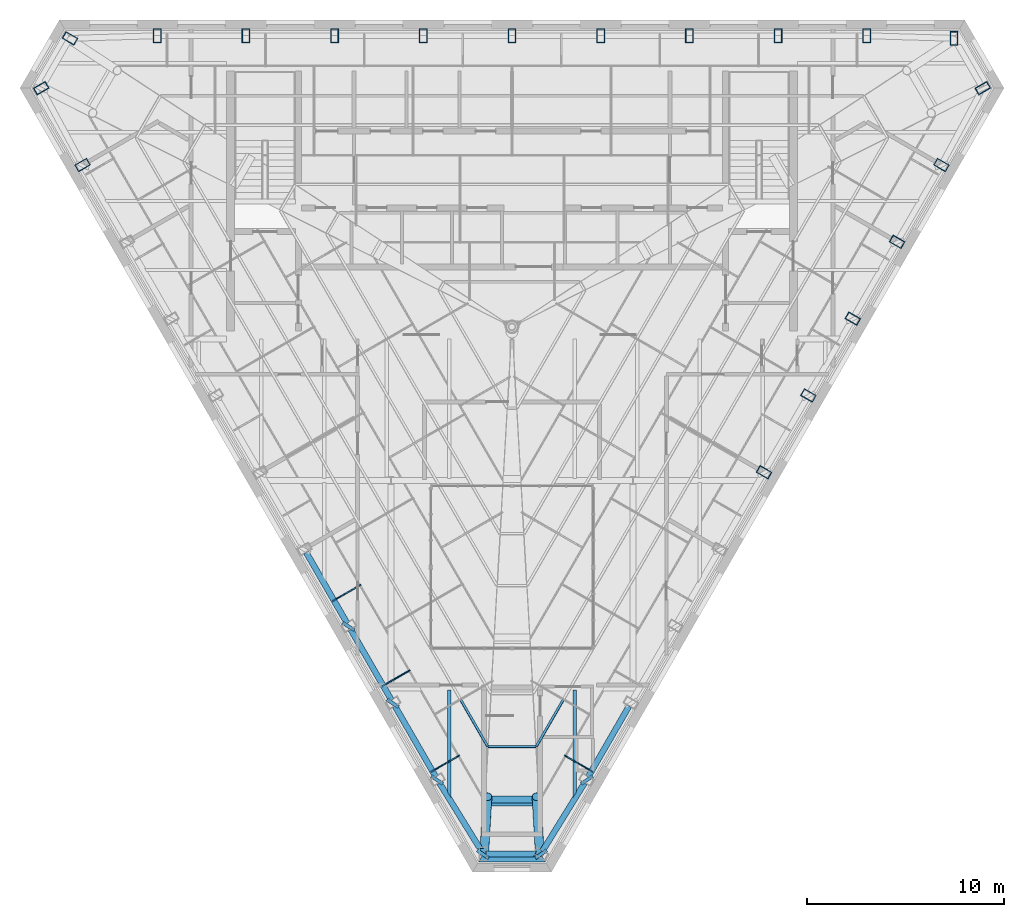
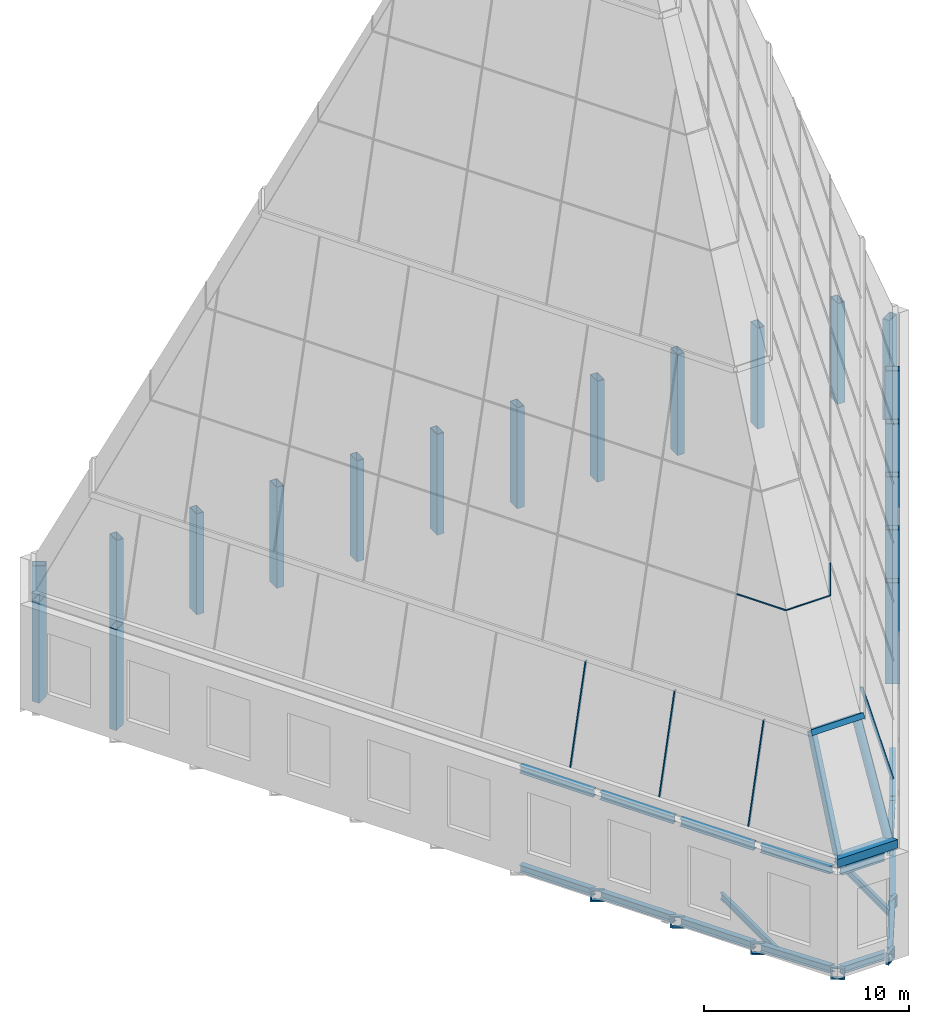
# One storey, part 2 of 36: 22 beams, 19 columns, 11 members, 5 elements without a shape of their own.
"""IFC4 building model written with IfcOpenShell, lengths in metres."""

from ifc_helpers import new_model, si_unit, direction, frame, origin, origin_2d, place, context, subcontext, project, spatial, rectangle, hollow_rectangle, hollow_circle, i_section, extrude, clip, halfspace, material, layer, layer_set, material_profile, profile_set, type_object, element, aggregate, save


model = new_model("IFC4")

# Units and contexts
model_context = context("Model", 3, precision=1e-05, world=origin(), true_north=direction((0.0, 1.0)))
body_context = subcontext(model_context, "Body", "Model", "MODEL_VIEW")
ifc_project = project(units=[si_unit("LENGTHUNIT", "METRE"), si_unit("AREAUNIT", "SQUARE_METRE"), si_unit("VOLUMEUNIT", "CUBIC_METRE"), si_unit("PLANEANGLEUNIT", "RADIAN"), si_unit("MASSUNIT", "GRAM", prefix="KILO")], contexts=[model_context])

# Site, building, storey
site_placement = place(None, origin())
site = spatial("IfcSite", under=ifc_project, at=site_placement, CompositionType="ELEMENT")
building_placement = place(site_placement, origin())
building = spatial("IfcBuilding", under=site, at=building_placement, Name="Njiva Tower", CompositionType="ELEMENT")
storey_placement = place(building_placement, frame((0.0, 0.0, 337.8)))
storey = spatial("IfcBuildingStorey", under=building, at=storey_placement, Name="L77", CompositionType="ELEMENT", Elevation=337.8)

# Columns
ifc_material_1 = material(Name="Steel S355 J2", Category="steel")
ifc_material_profile_1 = material_profile(ifc_material_1, hollow_rectangle(XDim=0.4, YDim=0.7, WallThickness=0.03, at=origin_2d()), Name="BOX 700x400x30")
ifc_profile_set_1 = profile_set([ifc_material_profile_1], Name="Steel S355 J2")
column_type = type_object("IfcColumnType", Name="C17 Perimeter tube column BOX 700x400x30", PredefinedType="COLUMN", material=ifc_profile_set_1)
for number, where, z_axis, x_axis, name in (
    (1, (22.461, 19.267, 0.0), (0.0, 0.0, 1.0), (-1.0, 0.0, 0.0), "Perimeter tube column CR-C01"),
    (2, (18.03, 19.4, 0.0), (0.0, 0.0, 1.0), (-1.0, 0.0, 0.0), "Perimeter tube column CR-C02"),
    (3, (13.523, 19.4, 0.0), (0.0, 0.0, 1.0), (-1.0, 0.0, 0.0), "Perimeter tube column CR-C03"),
    (4, (9.015, 19.4, 0.0), (0.0, 0.0, 1.0), (-1.0, 0.0, 0.0), "Perimeter tube column CR-C04"),
    (5, (4.508, 19.4, 0.0), (0.0, 0.0, 1.0), (-1.0, 0.0, 0.0), "Perimeter tube column CR-C05"),
    (6, (0.0, 19.4, 0.0), (0.0, 0.0, 1.0), (-1.0, 0.0, 0.0), "Perimeter tube column CR-C06"),
    (7, (-4.508, 19.4, 0.0), (0.0, 0.0, 1.0), (-1.0, 0.0, 0.0), "Perimeter tube column CR-C07"),
    (8, (-9.015, 19.4, 0.0), (0.0, 0.0, 1.0), (-1.0, 0.0, 0.0), "Perimeter tube column CR-C08"),
    (9, (-13.523, 19.4, 0.0), (0.0, 0.0, 1.0), (-1.0, 0.0, 0.0), "Perimeter tube column CR-C09"),
    (10, (-18.03, 19.4, 0.0), (0.0, 0.0, 1.0), (-1.0, 0.0, 0.0), "Perimeter tube column CR-C10"),
    (11, (-22.461, 19.267, 0.0), (0.0, 0.0, 1.0), (-0.5, -0.866025403784, 0.0), "Perimeter tube column CR-C11"),
    (12, (-23.923, 16.736, 0.0), (0.0, 0.0, 1.0), (0.5, -0.866025403784, 0.0), "Perimeter tube column CR-C12"),
    (13, (-21.822, 12.832, 0.0), (0.0, 0.0, 1.0), (0.5, -0.866025403784, 0.0), "Perimeter tube column CR-C13"),
    (14, (12.807, -2.783, 0.0), (0.0, 0.0, 1.0), (0.5, 0.866025403784, 0.0), "Perimeter tube column CR-C28"),
    (15, (15.061, 1.121, 0.0), (0.0, 0.0, 1.0), (0.5, 0.866025403784, 0.0), "Perimeter tube column CR-C29"),
    (16, (17.315, 5.025, 0.0), (0.0, 0.0, 1.0), (0.5, 0.866025403784, 0.0), "Perimeter tube column CR-C30"),
    (17, (19.569, 8.928, 0.0), (0.0, 0.0, 1.0), (0.5, 0.866025403784, 0.0), "Perimeter tube column CR-C31"),
    (18, (21.822, 12.832, 0.0), (0.0, 0.0, 1.0), (0.5, 0.866025403784, 0.0), "Perimeter tube column CR-C32"),
    (19, (23.923, 16.736, 0.0), (0.0, 0.0, 1.0), (-0.5, 0.866025403784, 0.0), "Perimeter tube column CR-C33"),
):
    element("IfcColumn", number, at=place(storey_placement, frame(where, z_axis=z_axis, x_axis=x_axis)), inside=storey, type_object=column_type, Name=name, PredefinedType="COLUMN", context=body_context, shape_type="SweptSolid", body=[
        extrude(hollow_rectangle(XDim=0.4, YDim=0.7, WallThickness=0.03, at=origin_2d()), origin(), (0.0, 0.0, 1.0), 6.0),
    ])

# Beams
ifc_material_profile_2 = material_profile(ifc_material_1, hollow_rectangle(XDim=0.7, YDim=0.7, WallThickness=0.08, at=origin_2d()), Name="BOX 700x700x80")
ifc_profile_set_2 = profile_set([ifc_material_profile_2], Name="Steel S355 J2")
beam_type_1 = type_object("IfcBeamType", Name="B19 Column jog beam BOX 700x700x80", PredefinedType="BEAM", material=ifc_profile_set_2)
beam_1_placement = place(storey_placement, frame((-8.359, -10.687, -0.55), z_axis=(0.519580604718, 0.85442143887, 0.0), x_axis=(-0.85442143887, 0.519580604718, 0.0)))
element("IfcBeam", 20, at=beam_1_placement, inside=storey, type_object=beam_type_1, Name="Column jog beam CR-B020", PredefinedType="BEAM", context=body_context, shape_type="SweptSolid", body=[
    extrude(hollow_rectangle(XDim=0.7, YDim=0.7, WallThickness=0.08, at=origin_2d()), origin(), (0.0, 0.0, 1.0), 0.1732),
])
beam_2_placement = place(storey_placement, frame((-6.108, -14.589, -0.55), z_axis=(0.548026257311, 0.83646112958, 0.0), x_axis=(-0.83646112958, 0.548026257311, 0.0)))
element("IfcBeam", 21, at=beam_2_placement, inside=storey, type_object=beam_type_1, Name="Column jog beam CR-B021", PredefinedType="BEAM", context=body_context, shape_type="SweptSolid", body=[
    extrude(hollow_rectangle(XDim=0.7, YDim=0.7, WallThickness=0.08, at=origin_2d()), origin(), (0.0, 0.0, 1.0), 0.1733),
])
beam_3_placement = place(storey_placement, frame((-3.854, -18.492, -0.55), z_axis=(0.550680686765, 0.83471598836, 0.0), x_axis=(-0.83471598836, 0.550680686765, 0.0)))
element("IfcBeam", 22, at=beam_3_placement, inside=storey, type_object=beam_type_1, Name="Column jog beam CR-B022", PredefinedType="BEAM", context=body_context, shape_type="SweptSolid", body=[
    extrude(hollow_rectangle(XDim=0.7, YDim=0.7, WallThickness=0.08, at=origin_2d()), origin(), (0.0, 0.0, 1.0), 0.1725),
])
for number, where, z_axis, x_axis, name in (
    (23, (-1.525, -22.26, -0.55), (0.570723177107, 0.821142530328, 0.0), (-0.821142530328, 0.570723177107, 0.0), "Column jog beam CR-B023"),
    (24, (1.525, -22.26, -0.55), (-0.570723177107, 0.821142530328, 0.0), (-0.821142530328, -0.570723177107, 0.0), "Column jog beam CR-B024"),
):
    element("IfcBeam", number, at=place(storey_placement, frame(where, z_axis=z_axis, x_axis=x_axis)), inside=storey, type_object=beam_type_1, Name=name, PredefinedType="BEAM", context=body_context, shape_type="SweptSolid", body=[
        extrude(hollow_rectangle(XDim=0.7, YDim=0.7, WallThickness=0.08, at=origin_2d()), origin(), (0.0, 0.0, 1.0), 0.1717),
    ])
beam_4_placement = place(storey_placement, frame((3.854, -18.492, -0.55), z_axis=(-0.550680686765, 0.83471598836, 0.0), x_axis=(-0.83471598836, -0.550680686765, 0.0)))
element("IfcBeam", 25, at=beam_4_placement, inside=storey, type_object=beam_type_1, Name="Column jog beam CR-B025", PredefinedType="BEAM", context=body_context, shape_type="SweptSolid", body=[
    extrude(hollow_rectangle(XDim=0.7, YDim=0.7, WallThickness=0.08, at=origin_2d()), origin(), (0.0, 0.0, 1.0), 0.1725),
])
ifc_material_profile_3 = material_profile(ifc_material_1, i_section(OverallWidth=0.3, OverallDepth=0.44, WebThickness=0.0115, FlangeThickness=0.021, at=origin_2d()), Name="HEA 450")
ifc_profile_set_3 = profile_set([ifc_material_profile_3], Name="Steel S355 J2")
beam_type_2 = type_object("IfcBeamType", Name="B57 Short-span spandrel beam HEA 450", PredefinedType="SPANDREL", material=ifc_profile_set_3)
beam_5_placement = place(storey_placement, frame((-10.453, -6.861, -0.42), z_axis=(0.500097243556, -0.865969252911, 0.0), x_axis=(0.865969252911, 0.500097243556, 0.0)))
element("IfcBeam", 26, at=beam_5_placement, inside=storey, type_object=beam_type_2, Name="Short-span spandrel beam CR-B097", PredefinedType="SPANDREL", context=body_context, shape_type="SweptSolid", body=[
    extrude(i_section(OverallWidth=0.3, OverallDepth=0.44, WebThickness=0.0115, FlangeThickness=0.021, at=origin_2d()), origin(), (0.0, 0.0, 1.0), 4.1572),
])
beam_6_placement = place(storey_placement, frame((-8.199, -10.764, -0.42), z_axis=(0.499916824138, -0.866073420066, 0.0), x_axis=(0.866073420066, 0.499916824138, 0.0)))
element("IfcBeam", 27, at=beam_6_placement, inside=storey, type_object=beam_type_2, Name="Short-span spandrel beam CR-B099", PredefinedType="SPANDREL", context=body_context, shape_type="SweptSolid", body=[
    extrude(i_section(OverallWidth=0.3, OverallDepth=0.44, WebThickness=0.0115, FlangeThickness=0.021, at=origin_2d()), origin(), (0.0, 0.0, 1.0), 4.1567),
])
beam_7_placement = place(storey_placement, frame((-5.946, -14.667, -0.42), z_axis=(0.500097243556, -0.865969252911, 0.0), x_axis=(0.865969252911, 0.500097243556, 0.0)))
element("IfcBeam", 28, at=beam_7_placement, inside=storey, type_object=beam_type_2, Name="Short-span spandrel beam CR-B100", PredefinedType="SPANDREL", context=body_context, shape_type="SweptSolid", body=[
    extrude(i_section(OverallWidth=0.3, OverallDepth=0.44, WebThickness=0.0115, FlangeThickness=0.021, at=origin_2d()), origin(), (0.0, 0.0, 1.0), 4.1572),
])
beam_8_placement = place(storey_placement, frame((-3.685, -18.57, -0.42), z_axis=(0.525758460145, -0.850633905735, 0.0), x_axis=(0.850633905735, 0.525758460145, 0.0)))
element("IfcBeam", 29, at=beam_8_placement, inside=storey, type_object=beam_type_2, Name="Short-span spandrel beam CR-B102", PredefinedType="SPANDREL", context=body_context, shape_type="Clipping", body=[
    clip(extrude(i_section(OverallWidth=0.3, OverallDepth=0.44, WebThickness=0.0115, FlangeThickness=0.021, at=origin_2d()), origin(), (0.0, 0.0, 1.0), 4.0407), halfspace(frame((-0.0265, 0.0, 3.9113), z_axis=(-0.525758460145, 0.0, 0.850633905735), x_axis=(0.0, 1.0, 0.0)), False)),
])
beam_9_placement = place(storey_placement, frame((-1.316, -22.168, -0.42), z_axis=(1.0, 0.0, 0.0), x_axis=(0.0, 1.0, 0.0)))
element("IfcBeam", 30, at=beam_9_placement, inside=storey, type_object=beam_type_2, Name="Short-span spandrel beam CR-B103", PredefinedType="SPANDREL", context=body_context, shape_type="Clipping", body=[
    clip(extrude(i_section(OverallWidth=0.3, OverallDepth=0.44, WebThickness=0.0115, FlangeThickness=0.021, at=origin_2d()), origin(), (0.0, 0.0, 1.0), 2.592), halfspace(frame((-0.0252, 0.0, 2.4709), z_axis=(-0.499998009787, 0.0, 0.866026552831), x_axis=(0.0, 1.0, 0.0)), False)),
])
beam_10_placement = place(storey_placement, frame((1.544, -22.035, -0.42), z_axis=(0.525644454307, 0.850704359726, 0.0), x_axis=(-0.850704359726, 0.525644454307, 0.0)))
element("IfcBeam", 31, at=beam_10_placement, inside=storey, type_object=beam_type_2, Name="Short-span spandrel beam CR-B105", PredefinedType="SPANDREL", context=body_context, shape_type="SweptSolid", body=[
    extrude(i_section(OverallWidth=0.3, OverallDepth=0.44, WebThickness=0.0115, FlangeThickness=0.021, at=origin_2d()), origin(), (0.0, 0.0, 1.0), 4.0731),
])
beam_11_placement = place(storey_placement, frame((3.867, -18.267, -0.42), z_axis=(0.500097243556, 0.865969252911, 0.0), x_axis=(-0.865969252911, 0.500097243556, 0.0)))
element("IfcBeam", 32, at=beam_11_placement, inside=storey, type_object=beam_type_2, Name="Short-span spandrel beam CR-B106", PredefinedType="SPANDREL", context=body_context, shape_type="SweptSolid", body=[
    extrude(i_section(OverallWidth=0.3, OverallDepth=0.44, WebThickness=0.0115, FlangeThickness=0.021, at=origin_2d()), origin(), (0.0, 0.0, 1.0), 4.1572),
])
ifc_material_profile_4 = material_profile(ifc_material_1, i_section(OverallWidth=0.18, OverallDepth=0.4, WebThickness=0.0086, FlangeThickness=0.0135, at=origin_2d()), Name="IPE 400")
ifc_profile_set_4 = profile_set([ifc_material_profile_4], Name="Steel S355 J2")
beam_type_3 = type_object("IfcBeamType", Name="B63 Floor joist IPE 400", PredefinedType="JOIST", material=ifc_profile_set_4)
beam_12_placement = place(storey_placement, frame((-3.183, -13.85, -0.4), z_axis=(0.0, -1.0, 0.0), x_axis=(1.0, 0.0, 0.0)))
element("IfcBeam", 33, at=beam_12_placement, inside=storey, type_object=beam_type_3, Name="Floor joist CR-B040", PredefinedType="JOIST", context=body_context, shape_type="Clipping", body=[
    clip(extrude(i_section(OverallWidth=0.18, OverallDepth=0.4, WebThickness=0.0086, FlangeThickness=0.0135, at=origin_2d()), origin(), (0.0, 0.0, 1.0), 5.508), halfspace(frame((-0.0429, 0.0, 5.2732), z_axis=(-0.850620428373, 0.0, 0.525780264783), x_axis=(0.0, 1.0, 0.0)), False)),
])
beam_13_placement = place(storey_placement, frame((3.183, -13.85, -0.4), z_axis=(0.0, -1.0, 0.0), x_axis=(1.0, 0.0, 0.0)))
element("IfcBeam", 34, at=beam_13_placement, inside=storey, type_object=beam_type_3, Name="Floor joist CR-B043", PredefinedType="JOIST", context=body_context, shape_type="Clipping", body=[
    clip(extrude(i_section(OverallWidth=0.18, OverallDepth=0.4, WebThickness=0.0086, FlangeThickness=0.0135, at=origin_2d()), origin(), (0.0, 0.0, 1.0), 5.508), halfspace(frame((0.0429, 0.0, 5.2732), z_axis=(0.850620428373, 0.0, 0.525780264783), x_axis=(0.0, 1.0, 0.0)), False)),
])
ifc_material_profile_5 = material_profile(ifc_material_1, i_section(OverallWidth=0.3, OverallDepth=0.44, WebThickness=0.0115, FlangeThickness=0.021, at=origin_2d()), Name="HEA 450")
ifc_profile_set_5 = profile_set([ifc_material_profile_5], Name="Steel S355 J2")
beam_type_4 = type_object("IfcBeamType", Name="B64 Roof edge beam HEA 450", PredefinedType="SPANDREL", material=ifc_profile_set_5)
beam_14_placement = place(storey_placement, frame((-10.453, -6.861, 5.48), z_axis=(0.500097243556, -0.865969252911, 0.0), x_axis=(0.865969252911, 0.500097243556, 0.0)))
element("IfcBeam", 35, at=beam_14_placement, inside=storey, type_object=beam_type_4, Name="Roof edge beam CR-B064", PredefinedType="SPANDREL", context=body_context, shape_type="SweptSolid", body=[
    extrude(i_section(OverallWidth=0.3, OverallDepth=0.44, WebThickness=0.0115, FlangeThickness=0.021, at=origin_2d()), origin(), (0.0, 0.0, 1.0), 4.1572),
])
beam_15_placement = place(storey_placement, frame((-8.199, -10.764, 5.48), z_axis=(0.499916824138, -0.866073420066, 0.0), x_axis=(0.866073420066, 0.499916824138, 0.0)))
element("IfcBeam", 36, at=beam_15_placement, inside=storey, type_object=beam_type_4, Name="Roof edge beam CR-B066", PredefinedType="SPANDREL", context=body_context, shape_type="SweptSolid", body=[
    extrude(i_section(OverallWidth=0.3, OverallDepth=0.44, WebThickness=0.0115, FlangeThickness=0.021, at=origin_2d()), origin(), (0.0, 0.0, 1.0), 4.1567),
])
beam_16_placement = place(storey_placement, frame((-5.946, -14.667, 5.48), z_axis=(0.500097243556, -0.865969252911, 0.0), x_axis=(0.865969252911, 0.500097243556, 0.0)))
element("IfcBeam", 37, at=beam_16_placement, inside=storey, type_object=beam_type_4, Name="Roof edge beam CR-B067", PredefinedType="SPANDREL", context=body_context, shape_type="SweptSolid", body=[
    extrude(i_section(OverallWidth=0.3, OverallDepth=0.44, WebThickness=0.0115, FlangeThickness=0.021, at=origin_2d()), origin(), (0.0, 0.0, 1.0), 4.1572),
])
beam_17_placement = place(storey_placement, frame((-3.685, -18.57, 5.48), z_axis=(0.525758460145, -0.850633905735, 0.0), x_axis=(0.850633905735, 0.525758460145, 0.0)))
element("IfcBeam", 38, at=beam_17_placement, inside=storey, type_object=beam_type_4, Name="Roof edge beam CR-B069", PredefinedType="SPANDREL", context=body_context, shape_type="Clipping", body=[
    clip(extrude(i_section(OverallWidth=0.3, OverallDepth=0.44, WebThickness=0.0115, FlangeThickness=0.021, at=origin_2d()), origin(), (0.0, 0.0, 1.0), 4.0407), halfspace(frame((-0.0265, 0.0, 3.9113), z_axis=(-0.525758460145, 0.0, 0.850633905735), x_axis=(0.0, 1.0, 0.0)), False)),
])
beam_18_placement = place(storey_placement, frame((-1.316, -22.168, 5.48), z_axis=(1.0, 0.0, 0.0), x_axis=(0.0, 1.0, 0.0)))
element("IfcBeam", 39, at=beam_18_placement, inside=storey, type_object=beam_type_4, Name="Roof edge beam CR-B070", PredefinedType="SPANDREL", context=body_context, shape_type="Clipping", body=[
    clip(extrude(i_section(OverallWidth=0.3, OverallDepth=0.44, WebThickness=0.0115, FlangeThickness=0.021, at=origin_2d()), origin(), (0.0, 0.0, 1.0), 2.592), halfspace(frame((-0.0252, 0.0, 2.4709), z_axis=(-0.499998009787, 0.0, 0.866026552831), x_axis=(0.0, 1.0, 0.0)), False)),
])
beam_19_placement = place(storey_placement, frame((1.544, -22.035, 5.48), z_axis=(0.525644454307, 0.850704359726, 0.0), x_axis=(-0.850704359726, 0.525644454307, 0.0)))
element("IfcBeam", 40, at=beam_19_placement, inside=storey, type_object=beam_type_4, Name="Roof edge beam CR-B072", PredefinedType="SPANDREL", context=body_context, shape_type="SweptSolid", body=[
    extrude(i_section(OverallWidth=0.3, OverallDepth=0.44, WebThickness=0.0115, FlangeThickness=0.021, at=origin_2d()), origin(), (0.0, 0.0, 1.0), 4.0731),
])
beam_20_placement = place(storey_placement, frame((3.867, -18.267, 5.48), z_axis=(0.500097243556, 0.865969252911, 0.0), x_axis=(-0.865969252911, 0.500097243556, 0.0)))
element("IfcBeam", 41, at=beam_20_placement, inside=storey, type_object=beam_type_4, Name="Roof edge beam CR-B073", PredefinedType="SPANDREL", context=body_context, shape_type="SweptSolid", body=[
    extrude(i_section(OverallWidth=0.3, OverallDepth=0.44, WebThickness=0.0115, FlangeThickness=0.021, at=origin_2d()), origin(), (0.0, 0.0, 1.0), 4.1572),
])

# Members
ifc_material_2 = material(Name="Steel S355 J2H", Category="steel")
ifc_material_profile_6 = material_profile(ifc_material_2, hollow_rectangle(XDim=0.55, YDim=0.5, WallThickness=0.016, at=origin_2d()), Name="BOX 500x550x16")
ifc_profile_set_6 = profile_set([ifc_material_profile_6], Name="Steel S355 J2H")
member_type_1 = type_object("IfcMemberType", Name="CF1 Crown frame base ring RHS 500x550x16", PredefinedType="USERDEFINED", material=ifc_profile_set_6)
member_1_placement = place(storey_placement, frame((-2.1381, -22.3013, 6.25), z_axis=(1.0, 0.0, 0.0), x_axis=(0.0, 1.0, 0.0)))
element("IfcMember", 42, at=member_1_placement, inside=storey, type_object=member_type_1, Name="Crown frame base ring", ObjectType="CROWN FRAME", PredefinedType="USERDEFINED", context=body_context, shape_type="Clipping", body=[
    clip(clip(extrude(hollow_rectangle(XDim=0.55, YDim=0.5, WallThickness=0.016, at=origin_2d()), origin(), (0.0, 0.0, 1.0), 4.2762), halfspace(frame((0.0, 0.0, 0.6), z_axis=(0.499999999907, 0.0, -0.866025403838), x_axis=(0.0, -1.0, 0.0)), False)), halfspace(frame((0.0, 0.0, 3.6762), z_axis=(0.499999999907, 0.0, 0.866025403838), x_axis=(0.0, 1.0, 0.0)), False)),
])
ifc_material_profile_7 = material_profile(ifc_material_2, hollow_circle(Radius=0.2285, WallThickness=0.016, at=origin_2d()), Name="CHS 457x16")
ifc_profile_set_7 = profile_set([ifc_material_profile_7], Name="Steel S355 J2H")
member_type_2 = type_object("IfcMemberType", Name="CF2 Crown frame hip CHS 457x16", PredefinedType="USERDEFINED", material=ifc_profile_set_7)
for number, where, z_axis, x_axis, name in (
    (43, (-1.4065, -22.0844, 6.3871), (0.025674868235, 0.449246405612, 0.893038895114), (-0.998370873012, 0.057057864668, 0.0), "Crown frame hip"),
    (44, (1.4065, -22.0844, 6.3871), (-0.025674868235, 0.449246405612, 0.893038895114), (-0.998370873012, -0.057057864668, 0.0), "Crown frame hip"),
):
    element("IfcMember", number, at=place(storey_placement, frame(where, z_axis=z_axis, x_axis=x_axis)), inside=storey, type_object=member_type_2, Name=name, ObjectType="CROWN FRAME", PredefinedType="USERDEFINED", context=body_context, shape_type="Clipping", body=[
        clip(extrude(hollow_circle(Radius=0.2285, WallThickness=0.016, at=origin_2d()), origin(), (0.0, 0.0, 1.0), 6.2707), halfspace(frame((0.0, 0.0508, 0.1008), z_axis=(0.0, -0.449979479325, -0.893038895114), x_axis=(0.0, -0.893038895114, 0.449979479325)), False)),
    ])
ifc_material_profile_8 = material_profile(ifc_material_2, hollow_rectangle(XDim=0.3, YDim=0.4, WallThickness=0.016, at=origin_2d()), Name="BOX 400x300x16")
ifc_profile_set_8 = profile_set([ifc_material_profile_8], Name="Steel S355 J2H")
member_type_3 = type_object("IfcMemberType", Name="CF3 Crown frame ring RHS 400x300x16", PredefinedType="USERDEFINED", material=ifc_profile_set_8)
member_2_placement = place(storey_placement, frame((-1.9771, -19.4842, 12.1), z_axis=(1.0, 0.0, 0.0), x_axis=(0.0, 0.449387179101, 0.893337093856)))
element("IfcMember", 45, at=member_2_placement, inside=storey, type_object=member_type_3, Name="Crown frame ring", ObjectType="CROWN FRAME", PredefinedType="USERDEFINED", context=body_context, shape_type="Clipping", body=[
    clip(clip(extrude(hollow_rectangle(XDim=0.3, YDim=0.4, WallThickness=0.016, at=origin_2d()), origin(), (0.0, 0.0, 1.0), 3.9542), halfspace(frame((0.0, 0.0, 0.6), z_axis=(0.022604497914, -0.474208224969, -0.880122489229), x_axis=(0.0, -0.880347430592, 0.474329422923)), False)), halfspace(frame((0.0, 0.0, 3.3542), z_axis=(0.022604497914, -0.474208224969, 0.880122489229), x_axis=(0.0, 0.880347430592, 0.474329422923)), False)),
])

# Curtain wall, members
ifc_material_3 = material(Name="Glazed curtain wall", Category="glass")
ifc_layer_1 = layer(ifc_material_3, 0.16)
ifc_layer_set_1 = layer_set([ifc_layer_1], Name="Glazed curtain wall")
curtain_wall_type_1 = type_object("IfcCurtainWallType", Name="CW2 Crown glazing, faceted point, long faces", PredefinedType="NOTDEFINED", material=ifc_layer_set_1)
curtain_wall_1_placement = place(storey_placement, origin())
curtain_wall_1 = element("IfcCurtainWall", 46, at=curtain_wall_1_placement, inside=storey, type_object=curtain_wall_type_1, Name="Crown glazing face SW tier 1", PredefinedType="NOTDEFINED")
ifc_material_4 = material(Name="Aluminium mullion", Category="aluminium")
ifc_material_profile_9 = material_profile(ifc_material_4, rectangle(XDim=0.16, YDim=0.06, at=origin_2d()), Name="RECT 160x60")
ifc_profile_set_9 = profile_set([ifc_material_profile_9], Name="Aluminium mullion")
member_type_4 = type_object("IfcMemberType", Name="CW2-M Crown glazing mullion 160x60", PredefinedType="MULLION", material=ifc_profile_set_9)
member_3_placement = place(storey_placement, frame((-9.0508, -9.2889, 6.5), z_axis=(0.230725534082, 0.133216213108, 0.963856404496), x_axis=(-0.834713535754, -0.481946554835, 0.266422280435)))
member_3 = element("IfcMember", 47, at=member_3_placement, type_object=member_type_4, Name="CW2-31 mullion 6", PredefinedType="MULLION", context=body_context, shape_type="Clipping", body=[
    clip(clip(extrude(rectangle(XDim=0.16, YDim=0.06, at=origin_2d()), origin(), (0.0, 0.0, 1.0), 5.66), halfspace(frame((0.08, 0.0, 0.0), z_axis=(6.4357e-06, -5.857625e-06, -0.999999999962), x_axis=(0.0, -0.999999999983, 5.857625e-06)), False)), halfspace(frame((0.08, 0.0, 5.66), z_axis=(-6.4357e-06, 5.857625e-06, 0.999999999962), x_axis=(0.0, 0.999999999983, -5.857625e-06)), False)),
])
member_4_placement = place(storey_placement, frame((-6.5466, -13.6263, 6.5), z_axis=(0.230742804422, 0.133198315661, 0.963854743679), x_axis=(-0.834755752066, -0.481870108333, 0.266428288828)))
member_4 = element("IfcMember", 48, at=member_4_placement, type_object=member_type_4, Name="CW2-31 mullion 7", PredefinedType="MULLION", context=body_context, shape_type="Clipping", body=[
    clip(clip(extrude(rectangle(XDim=0.16, YDim=0.06, at=origin_2d()), origin(), (0.0, 0.0, 1.0), 5.66), halfspace(frame((0.08, 0.0, 0.0), z_axis=(2.01451e-07, 1.8277338e-05, -0.999999999833), x_axis=(0.0, -0.999999999833, -1.8277338e-05)), False)), halfspace(frame((0.08, -0.0001, 5.66), z_axis=(-2.01451e-07, -1.8277338e-05, 0.999999999833), x_axis=(0.0, 0.999999999833, 1.8277338e-05)), False)),
])
member_5_placement = place(storey_placement, frame((-4.0424, -17.9638, 6.5), z_axis=(0.230742261373, 0.133215670042, 0.963852475264), x_axis=(-0.834726112418, -0.481916913295, 0.266436495113)))
member_5 = element("IfcMember", 49, at=member_5_placement, type_object=member_type_4, Name="CW2-31 mullion 8", PredefinedType="MULLION", context=body_context, shape_type="Clipping", body=[
    clip(clip(extrude(rectangle(XDim=0.16, YDim=0.06, at=origin_2d()), origin(), (0.0, 0.0, 1.0), 5.66), halfspace(frame((0.08, 0.0, 0.0), z_axis=(-8.311998e-06, 2.976376e-06, -0.999999999961), x_axis=(0.0, -0.999999999996, -2.976376e-06)), False)), halfspace(frame((0.08, 0.0, 5.66), z_axis=(8.311998e-06, -2.976376e-06, 0.999999999961), x_axis=(0.0, 0.999999999996, 2.976376e-06)), False)),
])
aggregate(curtain_wall_1, [member_3, member_4, member_5])

# Curtain wall, member
curtain_wall_2_placement = place(storey_placement, origin())
curtain_wall_2 = element("IfcCurtainWall", 50, at=curtain_wall_2_placement, inside=storey, type_object=curtain_wall_type_1, Name="Crown glazing face SE tier 1", PredefinedType="NOTDEFINED")
member_6_placement = place(storey_placement, frame((4.0424, -17.9638, 6.5), z_axis=(-0.230742261373, 0.133215670042, 0.963852475264), x_axis=(0.834726112418, -0.481916913295, 0.266436495113)))
member_6 = element("IfcMember", 51, at=member_6_placement, type_object=member_type_4, Name="CW2-51 mullion 1", PredefinedType="MULLION", context=body_context, shape_type="Clipping", body=[
    clip(clip(extrude(rectangle(XDim=0.16, YDim=0.06, at=origin_2d()), origin(), (0.0, 0.0, 1.0), 5.66), halfspace(frame((0.08, 0.0, 0.0), z_axis=(-8.311998e-06, -2.976376e-06, -0.999999999961), x_axis=(0.0, -0.999999999996, 2.976376e-06)), False)), halfspace(frame((0.08, 0.0, 5.66), z_axis=(8.311998e-06, 2.976376e-06, 0.999999999961), x_axis=(0.0, 0.999999999996, -2.976376e-06)), False)),
])
aggregate(curtain_wall_2, [member_6])

curtain_wall_3_placement = place(storey_placement, origin())
curtain_wall_3 = element("IfcCurtainWall", 52, at=curtain_wall_3_placement, inside=storey, type_object=curtain_wall_type_1, Name="Crown glazing face SW tier 2", PredefinedType="NOTDEFINED")
ifc_material_5 = material(Name="Aluminium transom", Category="aluminium")
ifc_material_profile_10 = material_profile(ifc_material_5, rectangle(XDim=0.12, YDim=0.06, at=origin_2d()), Name="RECT 120x60")
ifc_profile_set_10 = profile_set([ifc_material_profile_10], Name="Aluminium transom")
member_type_5 = type_object("IfcMemberType", Name="CW2-T Crown glazing transom 120x60", PredefinedType="USERDEFINED", material=ifc_profile_set_10)
member_7_placement = place(storey_placement, frame((-2.6038, -14.3492, 17.6202), z_axis=(0.499970184224, -0.866042617247, 0.0), x_axis=(-0.834739238147, -0.481898606794, 0.266428483965)))
member_7 = element("IfcMember", 53, at=member_7_placement, type_object=member_type_5, Name="CW2-32 transom 8.1", ObjectType="TRANSOM", PredefinedType="USERDEFINED", context=body_context, shape_type="Clipping", body=[
    clip(extrude(rectangle(XDim=0.12, YDim=0.06, at=origin_2d()), origin(), (0.0, 0.0, 1.0), 2.7372), halfspace(frame((0.0599, 0.0, 2.7371), z_axis=(-3.0745663e-05, -0.376223472903, 0.926528951243), x_axis=(0.0, 0.926528951681, 0.376223473081)), False)),
])
aggregate(curtain_wall_3, [member_7])

curtain_wall_4_placement = place(storey_placement, origin())
curtain_wall_4 = element("IfcCurtainWall", 54, at=curtain_wall_4_placement, inside=storey, type_object=curtain_wall_type_1, Name="Crown glazing face SE tier 2", PredefinedType="NOTDEFINED")
member_8_placement = place(storey_placement, frame((1.2353, -16.7197, 17.6202), z_axis=(0.499970184224, 0.866042617247, 0.0), x_axis=(0.834739238147, -0.481898606794, 0.266428483965)))
member_8 = element("IfcMember", 55, at=member_8_placement, type_object=member_type_5, Name="CW2-52 transom 1.1", ObjectType="TRANSOM", PredefinedType="USERDEFINED", context=body_context, shape_type="Clipping", body=[
    clip(extrude(rectangle(XDim=0.12, YDim=0.06, at=origin_2d()), origin(), (0.0, 0.0, 1.0), 2.7372), halfspace(frame((0.0599, 0.0, 0.0), z_axis=(-3.0745663e-05, -0.376223472903, -0.926528951243), x_axis=(0.0, -0.926528951681, 0.376223473081)), False)),
])
aggregate(curtain_wall_4, [member_8])

ifc_layer_2 = layer(ifc_material_3, 0.16)
ifc_layer_set_2 = layer_set([ifc_layer_2], Name="Glazed curtain wall")
curtain_wall_type_2 = type_object("IfcCurtainWallType", Name="CW3 Crown glazing, faceted point, corner faces", PredefinedType="NOTDEFINED", material=ifc_layer_set_2)
curtain_wall_5_placement = place(storey_placement, origin())
curtain_wall_5 = element("IfcCurtainWall", 56, at=curtain_wall_5_placement, inside=storey, type_object=curtain_wall_type_2, Name="Crown glazing face S tier 2", PredefinedType="NOTDEFINED")
ifc_material_profile_11 = material_profile(ifc_material_5, rectangle(XDim=0.12, YDim=0.06, at=origin_2d()), Name="RECT 120x60")
ifc_profile_set_11 = profile_set([ifc_material_profile_11], Name="Aluminium transom")
member_type_6 = type_object("IfcMemberType", Name="CW3-T Crown corner glazing transom 120x60", PredefinedType="USERDEFINED", material=ifc_profile_set_11)
member_9_placement = place(storey_placement, frame((-1.2187, -16.7297, 17.6203), z_axis=(1.0, 0.0, 0.0), x_axis=(0.0, -0.893337093848, 0.449387179117)))
member_9 = element("IfcMember", 57, at=member_9_placement, type_object=member_type_6, Name="CW3-42 transom 1.1", ObjectType="TRANSOM", PredefinedType="USERDEFINED", context=body_context, shape_type="Clipping", body=[
    clip(clip(extrude(rectangle(XDim=0.12, YDim=0.06, at=origin_2d()), origin(), (0.0, 0.0, 1.0), 2.4374), halfspace(frame((0.06, 0.0, 0.0), z_axis=(5.16e-10, -0.025674887923, -0.999670345729), x_axis=(0.0, -0.999670345729, 0.025674887923)), False)), halfspace(frame((0.06, 0.0, 2.4374), z_axis=(5.16e-10, -0.025674887923, 0.999670345729), x_axis=(0.0, 0.999670345729, 0.025674887923)), False)),
])
aggregate(curtain_wall_5, [member_9])

save(model, "model.ifc")
